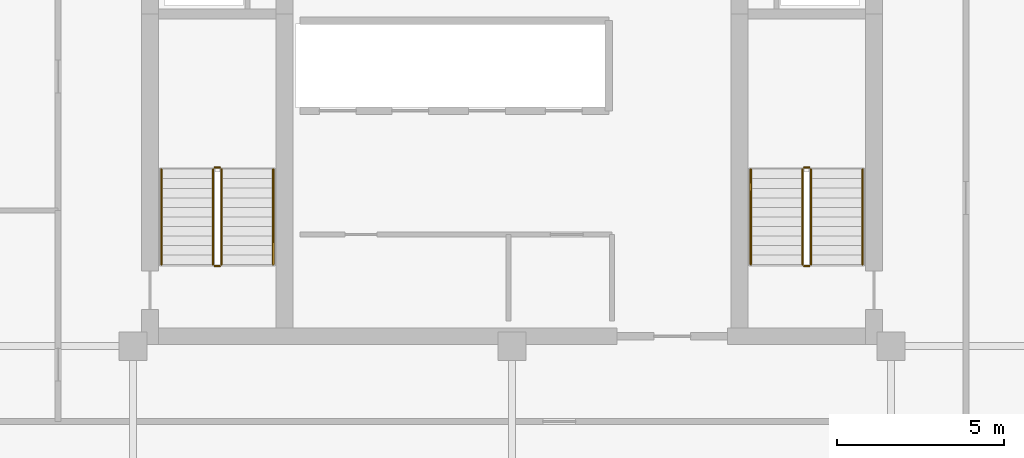
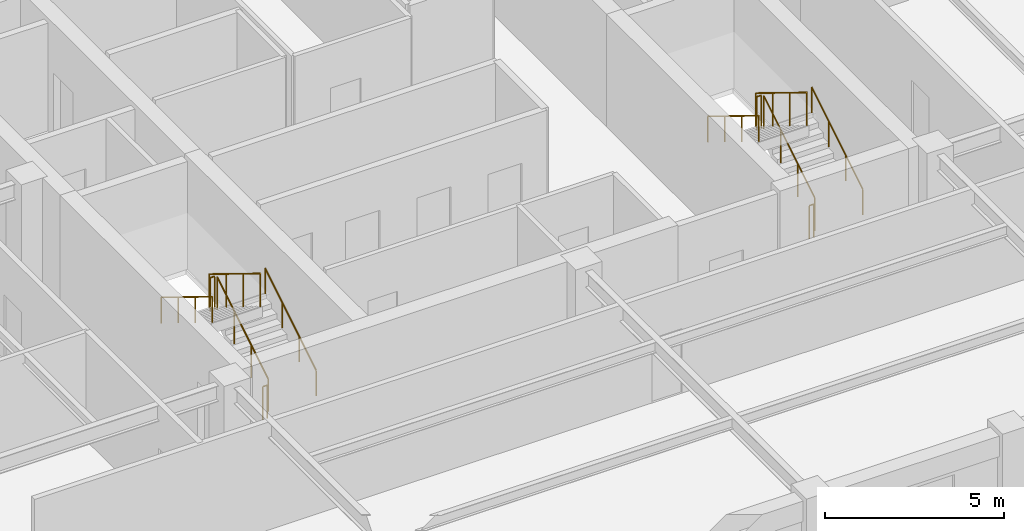
# One storey, part 6 of 6: 12 railings.
"""IFC4 building model written with IfcOpenShell, lengths in metres."""

from ifc_helpers import new_model, si_unit, direction, frame, origin, origin_2d, place, context, subcontext, project, spatial, circle, extrude, material, type_object, element, save


model = new_model("IFC4")

# Units and contexts
model_context = context("Model", 3, precision=1e-05, world=origin(), true_north=direction((0.0, 1.0)))
body_context = subcontext(model_context, "Body", "Model", "MODEL_VIEW")
ifc_project = project(units=[si_unit("LENGTHUNIT", "METRE"), si_unit("AREAUNIT", "SQUARE_METRE"), si_unit("VOLUMEUNIT", "CUBIC_METRE"), si_unit("PLANEANGLEUNIT", "RADIAN"), si_unit("MASSUNIT", "GRAM", prefix="KILO")], contexts=[model_context])

# Site, building, storey
site_placement = place(None, origin())
site = spatial("IfcSite", under=ifc_project, at=site_placement, CompositionType="ELEMENT")
building_placement = place(site_placement, origin())
building = spatial("IfcBuilding", under=site, at=building_placement, Name="Nhamokura Convention Tower", CompositionType="ELEMENT")
storey_placement = place(building_placement, frame((0.0, 0.0, 194.60009765625)))
storey = spatial("IfcBuildingStorey", under=building, at=storey_placement, Name="L47", CompositionType="ELEMENT", Elevation=194.60009765625)

# Railings
ifc_material_1 = material(Name="Anodised bronze stainless steel", Category="steel")
railing_type_1 = type_object("IfcRailingType", Name="StairWallHandrail_900", PredefinedType="HANDRAIL", material=ifc_material_1)
railing_1_placement = place(storey_placement, frame((24.85009765625, 23.10009765625, 0.1748046875)))
element("IfcRailing", 1, at=railing_1_placement, inside=storey, type_object=railing_type_1, Name="L47 ST-01 stair handrail 1", PredefinedType="HANDRAIL", context=body_context, shape_type="SweptSolid", body=[
    extrude(circle(Radius=0.02392578125, at=origin_2d()), frame((0.0, 0.0, 0.8759765625), z_axis=(0.0, 0.852159232446, 0.523282564737), x_axis=(-1.0, 0.0, 0.0)), (0.0, 0.0, 1.0), 3.34423828125),
    extrude(circle(Radius=0.02099609375, at=origin_2d()), origin(), (0.0, 0.0, 1.0), 0.851806640625),
    extrude(circle(Radius=0.02099609375, at=origin_2d()), frame((0.0, 0.949951171875, 0.583251953125)), (0.0, 0.0, 1.0), 0.851806640625),
    extrude(circle(Radius=0.02099609375, at=origin_2d()), frame((0.0, 1.89990234375, 1.166748046875)), (0.0, 0.0, 1.0), 0.851806640625),
    extrude(circle(Radius=0.02099609375, at=origin_2d()), frame((0.0, 2.849853515625, 1.75)), (0.0, 0.0, 1.0), 0.851806640625),
])
railing_2_placement = place(storey_placement, frame((21.5, 25.949951171875, 2.099853515625)))
element("IfcRailing", 2, at=railing_2_placement, inside=storey, type_object=railing_type_1, Name="L47 ST-01 stair handrail 2", PredefinedType="HANDRAIL", context=body_context, shape_type="SweptSolid", body=[
    extrude(circle(Radius=0.02392578125, at=origin_2d()), frame((0.0, 0.0, 0.8759765625), z_axis=(0.0, -0.852159232446, 0.523282564737), x_axis=(1.0, 0.0, 0.0)), (0.0, 0.0, 1.0), 3.34423828125),
    extrude(circle(Radius=0.02099609375, at=origin_2d()), origin(), (0.0, 0.0, 1.0), 0.851806640625),
    extrude(circle(Radius=0.02099609375, at=origin_2d()), frame((0.0, -0.949951171875, 0.583251953125)), (0.0, 0.0, 1.0), 0.851806640625),
    extrude(circle(Radius=0.02099609375, at=origin_2d()), frame((0.0, -1.89990234375, 1.166748046875)), (0.0, 0.0, 1.0), 0.851806640625),
    extrude(circle(Radius=0.02099609375, at=origin_2d()), frame((0.0, -2.849853515625, 1.75)), (0.0, 0.0, 1.0), 0.851806640625),
])
railing_3_placement = place(storey_placement, frame((42.5, 23.10009765625, 0.1748046875)))
element("IfcRailing", 3, at=railing_3_placement, inside=storey, type_object=railing_type_1, Name="L47 ST-02 stair handrail 1", PredefinedType="HANDRAIL", context=body_context, shape_type="SweptSolid", body=[
    extrude(circle(Radius=0.02392578125, at=origin_2d()), frame((0.0, 0.0, 0.8759765625), z_axis=(0.0, 0.852159232446, 0.523282564737), x_axis=(-1.0, 0.0, 0.0)), (0.0, 0.0, 1.0), 3.34423828125),
    extrude(circle(Radius=0.02099609375, at=origin_2d()), origin(), (0.0, 0.0, 1.0), 0.851806640625),
    extrude(circle(Radius=0.02099609375, at=origin_2d()), frame((0.0, 0.949951171875, 0.583251953125)), (0.0, 0.0, 1.0), 0.851806640625),
    extrude(circle(Radius=0.02099609375, at=origin_2d()), frame((0.0, 1.89990234375, 1.166748046875)), (0.0, 0.0, 1.0), 0.851806640625),
    extrude(circle(Radius=0.02099609375, at=origin_2d()), frame((0.0, 2.849853515625, 1.75)), (0.0, 0.0, 1.0), 0.851806640625),
])
railing_4_placement = place(storey_placement, frame((39.14990234375, 25.949951171875, 2.099853515625)))
element("IfcRailing", 4, at=railing_4_placement, inside=storey, type_object=railing_type_1, Name="L47 ST-02 stair handrail 2", PredefinedType="HANDRAIL", context=body_context, shape_type="SweptSolid", body=[
    extrude(circle(Radius=0.02392578125, at=origin_2d()), frame((0.0, 0.0, 0.8759765625), z_axis=(0.0, -0.852159232446, 0.523282564737), x_axis=(1.0, 0.0, 0.0)), (0.0, 0.0, 1.0), 3.34423828125),
    extrude(circle(Radius=0.02099609375, at=origin_2d()), origin(), (0.0, 0.0, 1.0), 0.851806640625),
    extrude(circle(Radius=0.02099609375, at=origin_2d()), frame((0.0, -0.949951171875, 0.583251953125)), (0.0, 0.0, 1.0), 0.851806640625),
    extrude(circle(Radius=0.02099609375, at=origin_2d()), frame((0.0, -1.89990234375, 1.166748046875)), (0.0, 0.0, 1.0), 0.851806640625),
    extrude(circle(Radius=0.02099609375, at=origin_2d()), frame((0.0, -2.849853515625, 1.75)), (0.0, 0.0, 1.0), 0.851806640625),
])
ifc_material_2 = material(Name="Painted tubular steel", Category="steel")
railing_type_2 = type_object("IfcRailingType", Name="StairWellGuardrail_1150", PredefinedType="GUARDRAIL", material=ifc_material_2)
railing_5_placement = place(storey_placement, frame((23.300048828125, 23.10009765625, 0.1748046875)))
element("IfcRailing", 5, at=railing_5_placement, inside=storey, type_object=railing_type_2, Name="L47 ST-01 stair guard 1", PredefinedType="GUARDRAIL", context=body_context, shape_type="SweptSolid", body=[
    extrude(circle(Radius=0.02392578125, at=origin_2d()), frame((0.0, 0.0, 1.1259765625), z_axis=(0.0, 0.852159232446, 0.523282564737), x_axis=(-1.0, 0.0, 0.0)), (0.0, 0.0, 1.0), 3.34423828125),
    extrude(circle(Radius=0.02099609375, at=origin_2d()), origin(), (0.0, 0.0, 1.0), 1.101806640625),
    extrude(circle(Radius=0.02099609375, at=origin_2d()), frame((0.0, 0.949951171875, 0.583251953125)), (0.0, 0.0, 1.0), 1.101806640625),
    extrude(circle(Radius=0.02099609375, at=origin_2d()), frame((0.0, 1.89990234375, 1.166748046875)), (0.0, 0.0, 1.0), 1.101806640625),
    extrude(circle(Radius=0.02099609375, at=origin_2d()), frame((0.0, 2.849853515625, 1.75)), (0.0, 0.0, 1.0), 1.101806640625),
])
railing_6_placement = place(storey_placement, frame((23.25, 26.0, 1.9248046875)))
element("IfcRailing", 6, at=railing_6_placement, inside=storey, type_object=railing_type_2, Name="L47 ST-01 stair guard 2", PredefinedType="GUARDRAIL", context=body_context, shape_type="SweptSolid", body=[
    extrude(circle(Radius=0.02392578125, at=origin_2d()), frame((0.0, 0.0, 1.1259765625), z_axis=(-1.0, 0.0, 0.0), x_axis=(0.0, -1.0, 0.0)), (0.0, 0.0, 1.0), 0.14990234375),
    extrude(circle(Radius=0.02099609375, at=origin_2d()), origin(), (0.0, 0.0, 1.0), 1.101806640625),
    extrude(circle(Radius=0.02099609375, at=origin_2d()), frame((-0.14990234375, 0.0, 0.0)), (0.0, 0.0, 1.0), 1.101806640625),
])
railing_7_placement = place(storey_placement, frame((23.050048828125, 25.949951171875, 2.099853515625)))
element("IfcRailing", 7, at=railing_7_placement, inside=storey, type_object=railing_type_2, Name="L47 ST-01 stair guard 3", PredefinedType="GUARDRAIL", context=body_context, shape_type="SweptSolid", body=[
    extrude(circle(Radius=0.02392578125, at=origin_2d()), frame((0.0, 0.0, 1.1259765625), z_axis=(0.0, -0.852159232446, 0.523282564737), x_axis=(1.0, 0.0, 0.0)), (0.0, 0.0, 1.0), 3.34423828125),
    extrude(circle(Radius=0.02099609375, at=origin_2d()), origin(), (0.0, 0.0, 1.0), 1.101806640625),
    extrude(circle(Radius=0.02099609375, at=origin_2d()), frame((0.0, -0.949951171875, 0.583251953125)), (0.0, 0.0, 1.0), 1.101806640625),
    extrude(circle(Radius=0.02099609375, at=origin_2d()), frame((0.0, -1.89990234375, 1.166748046875)), (0.0, 0.0, 1.0), 1.101806640625),
    extrude(circle(Radius=0.02099609375, at=origin_2d()), frame((0.0, -2.849853515625, 1.75)), (0.0, 0.0, 1.0), 1.101806640625),
])
railing_8_placement = place(storey_placement, frame((23.25, 23.050048828125, 0.0)))
element("IfcRailing", 8, at=railing_8_placement, inside=storey, type_object=railing_type_2, Name="L47 ST-01 stair guard 4", PredefinedType="GUARDRAIL", context=body_context, shape_type="SweptSolid", body=[
    extrude(circle(Radius=0.02392578125, at=origin_2d()), frame((0.0, 0.0, 1.1259765625), z_axis=(-1.0, 0.0, 0.0), x_axis=(0.0, -1.0, 0.0)), (0.0, 0.0, 1.0), 0.14990234375),
    extrude(circle(Radius=0.02099609375, at=origin_2d()), origin(), (0.0, 0.0, 1.0), 1.101806640625),
    extrude(circle(Radius=0.02099609375, at=origin_2d()), frame((-0.14990234375, 0.0, 0.0)), (0.0, 0.0, 1.0), 1.101806640625),
])
railing_9_placement = place(storey_placement, frame((40.949951171875, 23.10009765625, 0.1748046875)))
element("IfcRailing", 9, at=railing_9_placement, inside=storey, type_object=railing_type_2, Name="L47 ST-02 stair guard 1", PredefinedType="GUARDRAIL", context=body_context, shape_type="SweptSolid", body=[
    extrude(circle(Radius=0.02392578125, at=origin_2d()), frame((0.0, 0.0, 1.1259765625), z_axis=(0.0, 0.852159232446, 0.523282564737), x_axis=(-1.0, 0.0, 0.0)), (0.0, 0.0, 1.0), 3.34423828125),
    extrude(circle(Radius=0.02099609375, at=origin_2d()), origin(), (0.0, 0.0, 1.0), 1.101806640625),
    extrude(circle(Radius=0.02099609375, at=origin_2d()), frame((0.0, 0.949951171875, 0.583251953125)), (0.0, 0.0, 1.0), 1.101806640625),
    extrude(circle(Radius=0.02099609375, at=origin_2d()), frame((0.0, 1.89990234375, 1.166748046875)), (0.0, 0.0, 1.0), 1.101806640625),
    extrude(circle(Radius=0.02099609375, at=origin_2d()), frame((0.0, 2.849853515625, 1.75)), (0.0, 0.0, 1.0), 1.101806640625),
])
railing_10_placement = place(storey_placement, frame((40.89990234375, 26.0, 1.9248046875)))
element("IfcRailing", 10, at=railing_10_placement, inside=storey, type_object=railing_type_2, Name="L47 ST-02 stair guard 2", PredefinedType="GUARDRAIL", context=body_context, shape_type="SweptSolid", body=[
    extrude(circle(Radius=0.02392578125, at=origin_2d()), frame((0.0, 0.0, 1.1259765625), z_axis=(-1.0, 0.0, 0.0), x_axis=(0.0, -1.0, 0.0)), (0.0, 0.0, 1.0), 0.14990234375),
    extrude(circle(Radius=0.02099609375, at=origin_2d()), origin(), (0.0, 0.0, 1.0), 1.101806640625),
    extrude(circle(Radius=0.02099609375, at=origin_2d()), frame((-0.14990234375, 0.0, 0.0)), (0.0, 0.0, 1.0), 1.101806640625),
])
railing_11_placement = place(storey_placement, frame((40.699951171875, 25.949951171875, 2.099853515625)))
element("IfcRailing", 11, at=railing_11_placement, inside=storey, type_object=railing_type_2, Name="L47 ST-02 stair guard 3", PredefinedType="GUARDRAIL", context=body_context, shape_type="SweptSolid", body=[
    extrude(circle(Radius=0.02392578125, at=origin_2d()), frame((0.0, 0.0, 1.1259765625), z_axis=(0.0, -0.852159232446, 0.523282564737), x_axis=(1.0, 0.0, 0.0)), (0.0, 0.0, 1.0), 3.34423828125),
    extrude(circle(Radius=0.02099609375, at=origin_2d()), origin(), (0.0, 0.0, 1.0), 1.101806640625),
    extrude(circle(Radius=0.02099609375, at=origin_2d()), frame((0.0, -0.949951171875, 0.583251953125)), (0.0, 0.0, 1.0), 1.101806640625),
    extrude(circle(Radius=0.02099609375, at=origin_2d()), frame((0.0, -1.89990234375, 1.166748046875)), (0.0, 0.0, 1.0), 1.101806640625),
    extrude(circle(Radius=0.02099609375, at=origin_2d()), frame((0.0, -2.849853515625, 1.75)), (0.0, 0.0, 1.0), 1.101806640625),
])
railing_12_placement = place(storey_placement, frame((40.89990234375, 23.050048828125, 0.0)))
element("IfcRailing", 12, at=railing_12_placement, inside=storey, type_object=railing_type_2, Name="L47 ST-02 stair guard 4", PredefinedType="GUARDRAIL", context=body_context, shape_type="SweptSolid", body=[
    extrude(circle(Radius=0.02392578125, at=origin_2d()), frame((0.0, 0.0, 1.1259765625), z_axis=(-1.0, 0.0, 0.0), x_axis=(0.0, -1.0, 0.0)), (0.0, 0.0, 1.0), 0.14990234375),
    extrude(circle(Radius=0.02099609375, at=origin_2d()), origin(), (0.0, 0.0, 1.0), 1.101806640625),
    extrude(circle(Radius=0.02099609375, at=origin_2d()), frame((-0.14990234375, 0.0, 0.0)), (0.0, 0.0, 1.0), 1.101806640625),
])

save(model, "model.ifc")
